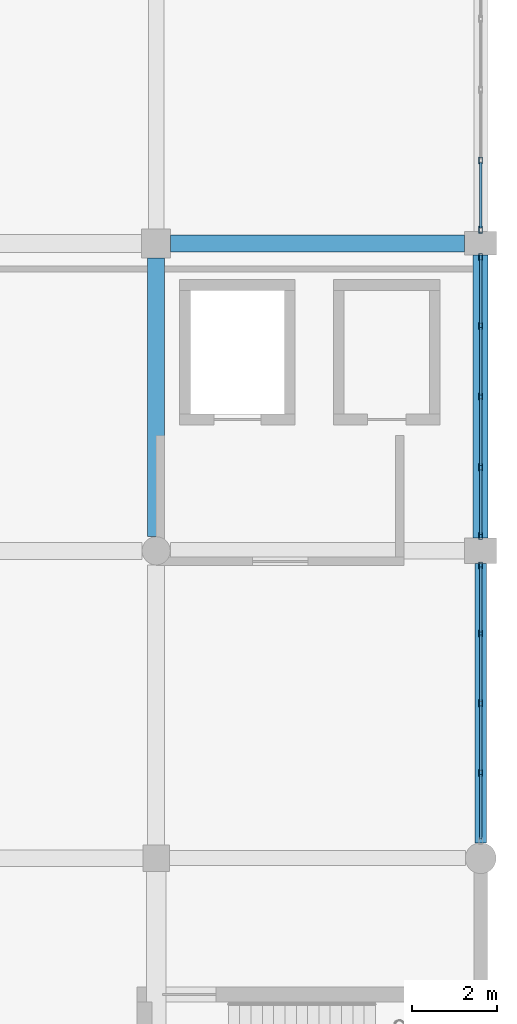
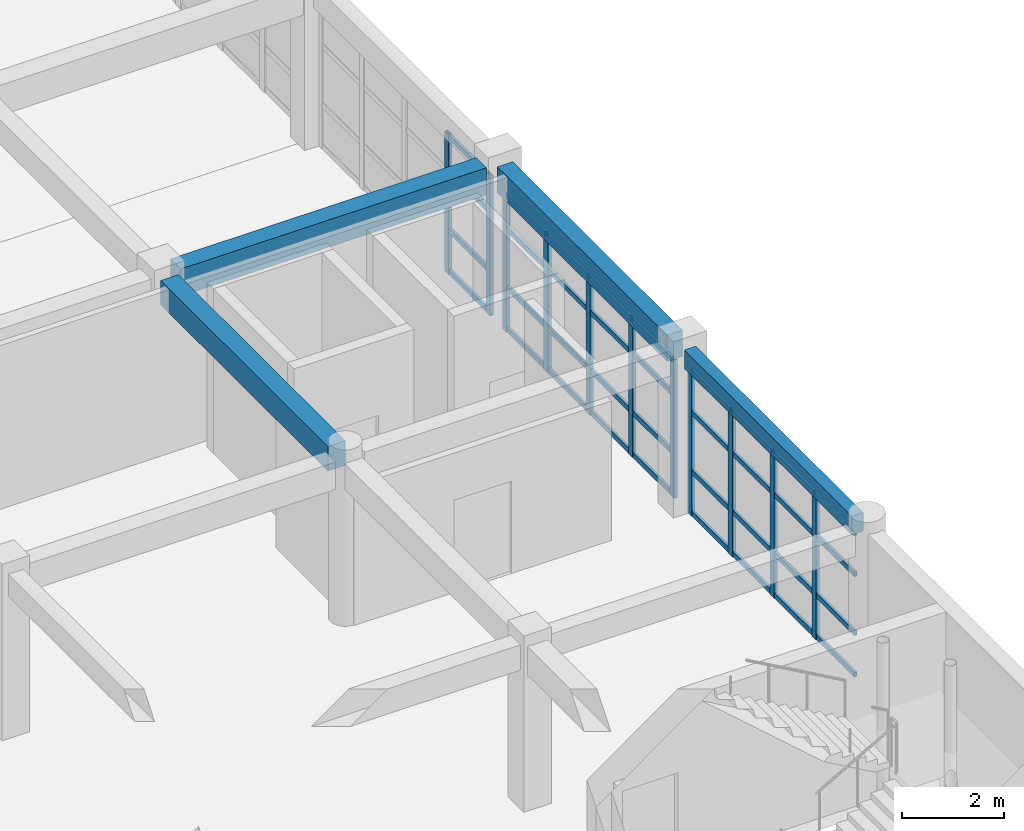
# One storey, part 133 of 195: 47 members, 4 beams, 3 elements without a shape of their own.
"""IFC4 building model written with IfcOpenShell, lengths in metres."""

from ifc_helpers import new_model, si_unit, direction, frame, origin, origin_2d, place, context, subcontext, project, spatial, rectangle, hollow_rectangle, extrude, material, material_profile, profile_set, type_object, element, aggregate, save


model = new_model("IFC4")

# Units and contexts
model_context = context("Model", 3, precision=1e-05, world=origin(), true_north=direction((0.0, 1.0)))
body_context = subcontext(model_context, "Body", "Model", "MODEL_VIEW")
ifc_project = project(units=[si_unit("LENGTHUNIT", "METRE"), si_unit("AREAUNIT", "SQUARE_METRE"), si_unit("VOLUMEUNIT", "CUBIC_METRE"), si_unit("PLANEANGLEUNIT", "RADIAN"), si_unit("MASSUNIT", "GRAM", prefix="KILO")], contexts=[model_context])

# Site, building, storey
site_placement = place(None, origin())
site = spatial("IfcSite", under=ifc_project, at=site_placement, CompositionType="ELEMENT")
building_placement = place(site_placement, origin())
building = spatial("IfcBuilding", under=site, at=building_placement, Name="Kharva Crest Polytechnic", CompositionType="ELEMENT")
storey_placement = place(building_placement, frame((0.0, 0.0, 9.0)))
storey = spatial("IfcBuildingStorey", under=building, at=storey_placement, Name="L02", CompositionType="ELEMENT", Elevation=9.0)

# Beams
ifc_material_1 = material(Name="Concrete C35/45", Category="concrete")
ifc_material_profile_1 = material_profile(ifc_material_1, rectangle(XDim=0.39990234375, YDim=0.580078125, at=origin_2d()), Name="RECT 400 X 580")
ifc_profile_set_1 = profile_set([ifc_material_profile_1], Name="Concrete C35/45")
beam_type_1 = type_object("IfcBeamType", Name="BM-RC-400X580", PredefinedType="BEAM", material=ifc_profile_set_1)
beam_1_placement = place(storey_placement, frame((176.39990234375, 86.330078125, 3.6298828125), z_axis=(0.0, 1.0, 0.0), x_axis=(-1.0, 0.0, 0.0)))
element("IfcBeam", 1, at=beam_1_placement, inside=storey, type_object=beam_type_1, Name="L02 Girder 23/M-N", PredefinedType="BEAM", context=body_context, shape_type="SweptSolid", body=[
    extrude(rectangle(XDim=0.39990234375, YDim=0.580078125, at=origin_2d()), origin(), (0.0, 0.0, 1.0), 6.530029296875),
])
ifc_material_profile_2 = material_profile(ifc_material_1, rectangle(XDim=0.39990234375, YDim=0.64990234375, at=origin_2d()), Name="RECT 400 X 650")
ifc_profile_set_2 = profile_set([ifc_material_profile_2], Name="Concrete C35/45")
beam_type_2 = type_object("IfcBeamType", Name="BM-RC-400X650", PredefinedType="BEAM", material=ifc_profile_set_2)
beam_2_placement = place(storey_placement, frame((176.739990234375, 93.199951171875, 3.594970703125), z_axis=(1.0, 0.0, 0.0), x_axis=(0.0, 1.0, 0.0)))
element("IfcBeam", 2, at=beam_2_placement, inside=storey, type_object=beam_type_2, Name="L02 Beam N/23-24", PredefinedType="BEAM", context=body_context, shape_type="SweptSolid", body=[
    extrude(rectangle(XDim=0.39990234375, YDim=0.64990234375, at=origin_2d()), origin(), (0.0, 0.0, 1.0), 6.885009765625),
])

# Curtain wall, members
ifc_material_2 = material(Name="Tempered insulated glass", Category="glass")
curtain_wall_type = type_object("IfcCurtainWallType", Name="CW-SYS-COURT", PredefinedType="USERDEFINED", material=ifc_material_2)
curtain_wall_1_placement = place(storey_placement, origin())
curtain_wall_1 = element("IfcCurtainWall", 3, at=curtain_wall_1_placement, inside=storey, type_object=curtain_wall_type, Name="L02 Glazed Curtain Wall CW-107", ObjectType="CURTAIN WALL", PredefinedType="USERDEFINED")
ifc_material_3 = material(Name="Steel S355", Category="steel")
ifc_material_profile_3 = material_profile(ifc_material_3, hollow_rectangle(XDim=0.080078125, YDim=0.159912109375, WallThickness=0.0048828125, at=origin_2d()), Name="RHS 160X80X5.0")
ifc_profile_set_3 = profile_set([ifc_material_profile_3], Name="Steel S355")
member_type_1 = type_object("IfcMemberType", Name="CWM-RHS160X80", PredefinedType="MULLION", material=ifc_profile_set_3)
member_1_placement = place(storey_placement, frame((184.0, 80.797607421875, 0.0), z_axis=(0.0, 0.0, 1.0), x_axis=(-1.0, 0.0, 0.0)))
member_1 = element("IfcMember", 4, at=member_1_placement, type_object=member_type_1, Name="CW-107 mullion 2", PredefinedType="MULLION", context=body_context, shape_type="SweptSolid", body=[
    extrude(hollow_rectangle(XDim=0.080078125, YDim=0.159912109375, WallThickness=0.0048828125, at=origin_2d()), origin(), (0.0, 0.0, 1.0), 3.47998046875),
])
member_2_placement = place(storey_placement, frame((184.0, 82.429931640625, 0.0), z_axis=(0.0, 0.0, 1.0), x_axis=(-1.0, 0.0, 0.0)))
member_2 = element("IfcMember", 5, at=member_2_placement, type_object=member_type_1, Name="CW-107 mullion 3", PredefinedType="MULLION", context=body_context, shape_type="SweptSolid", body=[
    extrude(hollow_rectangle(XDim=0.080078125, YDim=0.159912109375, WallThickness=0.0048828125, at=origin_2d()), origin(), (0.0, 0.0, 1.0), 3.47998046875),
])
member_3_placement = place(storey_placement, frame((184.0, 84.0625, 0.0), z_axis=(0.0, 0.0, 1.0), x_axis=(-1.0, 0.0, 0.0)))
member_3 = element("IfcMember", 6, at=member_3_placement, type_object=member_type_1, Name="CW-107 mullion 4", PredefinedType="MULLION", context=body_context, shape_type="SweptSolid", body=[
    extrude(hollow_rectangle(XDim=0.080078125, YDim=0.159912109375, WallThickness=0.0048828125, at=origin_2d()), origin(), (0.0, 0.0, 1.0), 3.47998046875),
])
member_4_placement = place(storey_placement, frame((184.0, 85.655029296875, 0.0), z_axis=(0.0, 0.0, 1.0), x_axis=(-1.0, 0.0, 0.0)))
member_4 = element("IfcMember", 7, at=member_4_placement, type_object=member_type_1, Name="CW-107 mullion 5", PredefinedType="MULLION", context=body_context, shape_type="SweptSolid", body=[
    extrude(hollow_rectangle(XDim=0.080078125, YDim=0.159912109375, WallThickness=0.0048828125, at=origin_2d()), origin(), (0.0, 0.0, 1.0), 3.47998046875),
])

curtain_wall_2_placement = place(storey_placement, origin())
curtain_wall_2 = element("IfcCurtainWall", 8, at=curtain_wall_2_placement, inside=storey, type_object=curtain_wall_type, Name="L02 Glazed Curtain Wall CW-108", ObjectType="CURTAIN WALL", PredefinedType="USERDEFINED")
member_5_placement = place(storey_placement, frame((184.0, 86.344970703125, 0.0), z_axis=(0.0, 0.0, 1.0), x_axis=(-1.0, 0.0, 0.0)))
member_5 = element("IfcMember", 9, at=member_5_placement, type_object=member_type_1, Name="CW-108 mullion 1", PredefinedType="MULLION", context=body_context, shape_type="SweptSolid", body=[
    extrude(hollow_rectangle(XDim=0.080078125, YDim=0.159912109375, WallThickness=0.0048828125, at=origin_2d()), origin(), (0.0, 0.0, 1.0), 3.300048828125),
])
member_6_placement = place(storey_placement, frame((184.0, 87.958740234375, 0.0), z_axis=(0.0, 0.0, 1.0), x_axis=(-1.0, 0.0, 0.0)))
member_6 = element("IfcMember", 10, at=member_6_placement, type_object=member_type_1, Name="CW-108 mullion 2", PredefinedType="MULLION", context=body_context, shape_type="SweptSolid", body=[
    extrude(hollow_rectangle(XDim=0.080078125, YDim=0.159912109375, WallThickness=0.0048828125, at=origin_2d()), origin(), (0.0, 0.0, 1.0), 3.300048828125),
])
member_7_placement = place(storey_placement, frame((184.0, 89.612548828125, 0.0), z_axis=(0.0, 0.0, 1.0), x_axis=(-1.0, 0.0, 0.0)))
member_7 = element("IfcMember", 11, at=member_7_placement, type_object=member_type_1, Name="CW-108 mullion 3", PredefinedType="MULLION", context=body_context, shape_type="SweptSolid", body=[
    extrude(hollow_rectangle(XDim=0.080078125, YDim=0.159912109375, WallThickness=0.0048828125, at=origin_2d()), origin(), (0.0, 0.0, 1.0), 3.300048828125),
])
member_8_placement = place(storey_placement, frame((184.0, 91.266357421875, 0.0), z_axis=(0.0, 0.0, 1.0), x_axis=(-1.0, 0.0, 0.0)))
member_8 = element("IfcMember", 12, at=member_8_placement, type_object=member_type_1, Name="CW-108 mullion 4", PredefinedType="MULLION", context=body_context, shape_type="SweptSolid", body=[
    extrude(hollow_rectangle(XDim=0.080078125, YDim=0.159912109375, WallThickness=0.0048828125, at=origin_2d()), origin(), (0.0, 0.0, 1.0), 3.300048828125),
])
member_9_placement = place(storey_placement, frame((184.0, 92.8798828125, 0.0), z_axis=(0.0, 0.0, 1.0), x_axis=(-1.0, 0.0, 0.0)))
member_9 = element("IfcMember", 13, at=member_9_placement, type_object=member_type_1, Name="CW-108 mullion 5", PredefinedType="MULLION", context=body_context, shape_type="SweptSolid", body=[
    extrude(hollow_rectangle(XDim=0.080078125, YDim=0.159912109375, WallThickness=0.0048828125, at=origin_2d()), origin(), (0.0, 0.0, 1.0), 3.300048828125),
])

curtain_wall_3_placement = place(storey_placement, origin())
curtain_wall_3 = element("IfcCurtainWall", 14, at=curtain_wall_3_placement, inside=storey, type_object=curtain_wall_type, Name="L02 Glazed Curtain Wall CW-109", ObjectType="CURTAIN WALL", PredefinedType="USERDEFINED")
member_10_placement = place(storey_placement, frame((184.0, 93.52001953125, 0.0), z_axis=(0.0, 0.0, 1.0), x_axis=(-1.0, 0.0, 0.0)))
member_10 = element("IfcMember", 15, at=member_10_placement, type_object=member_type_1, Name="CW-109 mullion 1", PredefinedType="MULLION", context=body_context, shape_type="SweptSolid", body=[
    extrude(hollow_rectangle(XDim=0.080078125, YDim=0.159912109375, WallThickness=0.0048828125, at=origin_2d()), origin(), (0.0, 0.0, 1.0), 3.340087890625),
])
member_11_placement = place(storey_placement, frame((184.0, 95.139892578125, 0.0), z_axis=(0.0, 0.0, 1.0), x_axis=(-1.0, 0.0, 0.0)))
member_11 = element("IfcMember", 16, at=member_11_placement, type_object=member_type_1, Name="CW-109 mullion 2", PredefinedType="MULLION", context=body_context, shape_type="SweptSolid", body=[
    extrude(hollow_rectangle(XDim=0.080078125, YDim=0.159912109375, WallThickness=0.0048828125, at=origin_2d()), origin(), (0.0, 0.0, 1.0), 3.340087890625),
])

# Member
ifc_material_profile_4 = material_profile(ifc_material_3, hollow_rectangle(XDim=0.06005859375, YDim=0.1201171875, WallThickness=0.00390625, at=origin_2d()), Name="RHS 120X60X4.0")
ifc_profile_set_4 = profile_set([ifc_material_profile_4], Name="Steel S355")
member_type_2 = type_object("IfcMemberType", Name="CWT-RHS120X60", PredefinedType="USERDEFINED", material=ifc_profile_set_4)
member_12_placement = place(storey_placement, frame((184.0, 79.2451171875, 0.06005859375), z_axis=(0.0, 1.0, 0.0), x_axis=(-1.0, 0.0, 0.0)))
member_12 = element("IfcMember", 17, at=member_12_placement, type_object=member_type_2, Name="CW-107 transom 1.1", ObjectType="TRANSOM", PredefinedType="USERDEFINED", context=body_context, shape_type="SweptSolid", body=[
    extrude(hollow_rectangle(XDim=0.06005859375, YDim=0.1201171875, WallThickness=0.00390625, at=origin_2d()), origin(), (0.0, 0.0, 1.0), 1.512451171875),
])

member_13_placement = place(storey_placement, frame((184.0, 79.2451171875, 1.050048828125), z_axis=(0.0, 1.0, 0.0), x_axis=(-1.0, 0.0, 0.0)))
member_13 = element("IfcMember", 18, at=member_13_placement, type_object=member_type_2, Name="CW-107 transom 1.2", ObjectType="TRANSOM", PredefinedType="USERDEFINED", context=body_context, shape_type="SweptSolid", body=[
    extrude(hollow_rectangle(XDim=0.06005859375, YDim=0.1201171875, WallThickness=0.00390625, at=origin_2d()), origin(), (0.0, 0.0, 1.0), 1.512451171875),
])

member_14_placement = place(storey_placement, frame((184.0, 79.2451171875, 2.449951171875), z_axis=(0.0, 1.0, 0.0), x_axis=(-1.0, 0.0, 0.0)))
member_14 = element("IfcMember", 19, at=member_14_placement, type_object=member_type_2, Name="CW-107 transom 1.3", ObjectType="TRANSOM", PredefinedType="USERDEFINED", context=body_context, shape_type="SweptSolid", body=[
    extrude(hollow_rectangle(XDim=0.06005859375, YDim=0.1201171875, WallThickness=0.00390625, at=origin_2d()), origin(), (0.0, 0.0, 1.0), 1.512451171875),
])

member_15_placement = place(storey_placement, frame((184.0, 79.2451171875, 3.419921875), z_axis=(0.0, 1.0, 0.0), x_axis=(-1.0, 0.0, 0.0)))
member_15 = element("IfcMember", 20, at=member_15_placement, type_object=member_type_2, Name="CW-107 transom 1.4", ObjectType="TRANSOM", PredefinedType="USERDEFINED", context=body_context, shape_type="SweptSolid", body=[
    extrude(hollow_rectangle(XDim=0.06005859375, YDim=0.1201171875, WallThickness=0.00390625, at=origin_2d()), origin(), (0.0, 0.0, 1.0), 1.512451171875),
])

member_16_placement = place(storey_placement, frame((184.0, 80.83740234375, 0.06005859375), z_axis=(0.0, 1.0, 0.0), x_axis=(-1.0, 0.0, 0.0)))
member_16 = element("IfcMember", 21, at=member_16_placement, type_object=member_type_2, Name="CW-107 transom 2.1", ObjectType="TRANSOM", PredefinedType="USERDEFINED", context=body_context, shape_type="SweptSolid", body=[
    extrude(hollow_rectangle(XDim=0.06005859375, YDim=0.1201171875, WallThickness=0.00390625, at=origin_2d()), origin(), (0.0, 0.0, 1.0), 1.552490234375),
])

member_17_placement = place(storey_placement, frame((184.0, 80.83740234375, 1.050048828125), z_axis=(0.0, 1.0, 0.0), x_axis=(-1.0, 0.0, 0.0)))
member_17 = element("IfcMember", 22, at=member_17_placement, type_object=member_type_2, Name="CW-107 transom 2.2", ObjectType="TRANSOM", PredefinedType="USERDEFINED", context=body_context, shape_type="SweptSolid", body=[
    extrude(hollow_rectangle(XDim=0.06005859375, YDim=0.1201171875, WallThickness=0.00390625, at=origin_2d()), origin(), (0.0, 0.0, 1.0), 1.552490234375),
])

member_18_placement = place(storey_placement, frame((184.0, 80.83740234375, 2.449951171875), z_axis=(0.0, 1.0, 0.0), x_axis=(-1.0, 0.0, 0.0)))
member_18 = element("IfcMember", 23, at=member_18_placement, type_object=member_type_2, Name="CW-107 transom 2.3", ObjectType="TRANSOM", PredefinedType="USERDEFINED", context=body_context, shape_type="SweptSolid", body=[
    extrude(hollow_rectangle(XDim=0.06005859375, YDim=0.1201171875, WallThickness=0.00390625, at=origin_2d()), origin(), (0.0, 0.0, 1.0), 1.552490234375),
])

member_19_placement = place(storey_placement, frame((184.0, 80.83740234375, 3.419921875), z_axis=(0.0, 1.0, 0.0), x_axis=(-1.0, 0.0, 0.0)))
member_19 = element("IfcMember", 24, at=member_19_placement, type_object=member_type_2, Name="CW-107 transom 2.4", ObjectType="TRANSOM", PredefinedType="USERDEFINED", context=body_context, shape_type="SweptSolid", body=[
    extrude(hollow_rectangle(XDim=0.06005859375, YDim=0.1201171875, WallThickness=0.00390625, at=origin_2d()), origin(), (0.0, 0.0, 1.0), 1.552490234375),
])

member_20_placement = place(storey_placement, frame((184.0, 82.469970703125, 0.06005859375), z_axis=(0.0, 1.0, 0.0), x_axis=(-1.0, 0.0, 0.0)))
member_20 = element("IfcMember", 25, at=member_20_placement, type_object=member_type_2, Name="CW-107 transom 3.1", ObjectType="TRANSOM", PredefinedType="USERDEFINED", context=body_context, shape_type="SweptSolid", body=[
    extrude(hollow_rectangle(XDim=0.06005859375, YDim=0.1201171875, WallThickness=0.00390625, at=origin_2d()), origin(), (0.0, 0.0, 1.0), 1.552490234375),
])

member_21_placement = place(storey_placement, frame((184.0, 82.469970703125, 1.050048828125), z_axis=(0.0, 1.0, 0.0), x_axis=(-1.0, 0.0, 0.0)))
member_21 = element("IfcMember", 26, at=member_21_placement, type_object=member_type_2, Name="CW-107 transom 3.2", ObjectType="TRANSOM", PredefinedType="USERDEFINED", context=body_context, shape_type="SweptSolid", body=[
    extrude(hollow_rectangle(XDim=0.06005859375, YDim=0.1201171875, WallThickness=0.00390625, at=origin_2d()), origin(), (0.0, 0.0, 1.0), 1.552490234375),
])

member_22_placement = place(storey_placement, frame((184.0, 82.469970703125, 2.449951171875), z_axis=(0.0, 1.0, 0.0), x_axis=(-1.0, 0.0, 0.0)))
member_22 = element("IfcMember", 27, at=member_22_placement, type_object=member_type_2, Name="CW-107 transom 3.3", ObjectType="TRANSOM", PredefinedType="USERDEFINED", context=body_context, shape_type="SweptSolid", body=[
    extrude(hollow_rectangle(XDim=0.06005859375, YDim=0.1201171875, WallThickness=0.00390625, at=origin_2d()), origin(), (0.0, 0.0, 1.0), 1.552490234375),
])

member_23_placement = place(storey_placement, frame((184.0, 82.469970703125, 3.419921875), z_axis=(0.0, 1.0, 0.0), x_axis=(-1.0, 0.0, 0.0)))
member_23 = element("IfcMember", 28, at=member_23_placement, type_object=member_type_2, Name="CW-107 transom 3.4", ObjectType="TRANSOM", PredefinedType="USERDEFINED", context=body_context, shape_type="SweptSolid", body=[
    extrude(hollow_rectangle(XDim=0.06005859375, YDim=0.1201171875, WallThickness=0.00390625, at=origin_2d()), origin(), (0.0, 0.0, 1.0), 1.552490234375),
])

member_24_placement = place(storey_placement, frame((184.0, 84.1025390625, 0.06005859375), z_axis=(0.0, 1.0, 0.0), x_axis=(-1.0, 0.0, 0.0)))
member_24 = element("IfcMember", 29, at=member_24_placement, type_object=member_type_2, Name="CW-107 transom 4.1", ObjectType="TRANSOM", PredefinedType="USERDEFINED", context=body_context, shape_type="SweptSolid", body=[
    extrude(hollow_rectangle(XDim=0.06005859375, YDim=0.1201171875, WallThickness=0.00390625, at=origin_2d()), origin(), (0.0, 0.0, 1.0), 1.512451171875),
])

member_25_placement = place(storey_placement, frame((184.0, 84.1025390625, 1.050048828125), z_axis=(0.0, 1.0, 0.0), x_axis=(-1.0, 0.0, 0.0)))
member_25 = element("IfcMember", 30, at=member_25_placement, type_object=member_type_2, Name="CW-107 transom 4.2", ObjectType="TRANSOM", PredefinedType="USERDEFINED", context=body_context, shape_type="SweptSolid", body=[
    extrude(hollow_rectangle(XDim=0.06005859375, YDim=0.1201171875, WallThickness=0.00390625, at=origin_2d()), origin(), (0.0, 0.0, 1.0), 1.512451171875),
])

member_26_placement = place(storey_placement, frame((184.0, 84.1025390625, 2.449951171875), z_axis=(0.0, 1.0, 0.0), x_axis=(-1.0, 0.0, 0.0)))
member_26 = element("IfcMember", 31, at=member_26_placement, type_object=member_type_2, Name="CW-107 transom 4.3", ObjectType="TRANSOM", PredefinedType="USERDEFINED", context=body_context, shape_type="SweptSolid", body=[
    extrude(hollow_rectangle(XDim=0.06005859375, YDim=0.1201171875, WallThickness=0.00390625, at=origin_2d()), origin(), (0.0, 0.0, 1.0), 1.512451171875),
])

member_27_placement = place(storey_placement, frame((184.0, 84.1025390625, 3.419921875), z_axis=(0.0, 1.0, 0.0), x_axis=(-1.0, 0.0, 0.0)))
member_27 = element("IfcMember", 32, at=member_27_placement, type_object=member_type_2, Name="CW-107 transom 4.4", ObjectType="TRANSOM", PredefinedType="USERDEFINED", context=body_context, shape_type="SweptSolid", body=[
    extrude(hollow_rectangle(XDim=0.06005859375, YDim=0.1201171875, WallThickness=0.00390625, at=origin_2d()), origin(), (0.0, 0.0, 1.0), 1.512451171875),
])

aggregate(curtain_wall_1, [member_1, member_2, member_3, member_4, member_12, member_13, member_14, member_15, member_16, member_17, member_18, member_19, member_20, member_21, member_22, member_23, member_24, member_25, member_26, member_27])

member_28_placement = place(storey_placement, frame((184.0, 86.385009765625, 0.06005859375), z_axis=(0.0, 1.0, 0.0), x_axis=(-1.0, 0.0, 0.0)))
member_28 = element("IfcMember", 33, at=member_28_placement, type_object=member_type_2, Name="CW-108 transom 1.1", ObjectType="TRANSOM", PredefinedType="USERDEFINED", context=body_context, shape_type="SweptSolid", body=[
    extrude(hollow_rectangle(XDim=0.06005859375, YDim=0.1201171875, WallThickness=0.00390625, at=origin_2d()), origin(), (0.0, 0.0, 1.0), 1.53369140625),
])

member_29_placement = place(storey_placement, frame((184.0, 86.385009765625, 1.050048828125), z_axis=(0.0, 1.0, 0.0), x_axis=(-1.0, 0.0, 0.0)))
member_29 = element("IfcMember", 34, at=member_29_placement, type_object=member_type_2, Name="CW-108 transom 1.2", ObjectType="TRANSOM", PredefinedType="USERDEFINED", context=body_context, shape_type="SweptSolid", body=[
    extrude(hollow_rectangle(XDim=0.06005859375, YDim=0.1201171875, WallThickness=0.00390625, at=origin_2d()), origin(), (0.0, 0.0, 1.0), 1.53369140625),
])

member_30_placement = place(storey_placement, frame((184.0, 86.385009765625, 2.449951171875), z_axis=(0.0, 1.0, 0.0), x_axis=(-1.0, 0.0, 0.0)))
member_30 = element("IfcMember", 35, at=member_30_placement, type_object=member_type_2, Name="CW-108 transom 1.3", ObjectType="TRANSOM", PredefinedType="USERDEFINED", context=body_context, shape_type="SweptSolid", body=[
    extrude(hollow_rectangle(XDim=0.06005859375, YDim=0.1201171875, WallThickness=0.00390625, at=origin_2d()), origin(), (0.0, 0.0, 1.0), 1.53369140625),
])

member_31_placement = place(storey_placement, frame((184.0, 86.385009765625, 3.239990234375), z_axis=(0.0, 1.0, 0.0), x_axis=(-1.0, 0.0, 0.0)))
member_31 = element("IfcMember", 36, at=member_31_placement, type_object=member_type_2, Name="CW-108 transom 1.4", ObjectType="TRANSOM", PredefinedType="USERDEFINED", context=body_context, shape_type="SweptSolid", body=[
    extrude(hollow_rectangle(XDim=0.06005859375, YDim=0.1201171875, WallThickness=0.00390625, at=origin_2d()), origin(), (0.0, 0.0, 1.0), 1.53369140625),
])

member_32_placement = place(storey_placement, frame((184.0, 87.998779296875, 0.06005859375), z_axis=(0.0, 1.0, 0.0), x_axis=(-1.0, 0.0, 0.0)))
member_32 = element("IfcMember", 37, at=member_32_placement, type_object=member_type_2, Name="CW-108 transom 2.1", ObjectType="TRANSOM", PredefinedType="USERDEFINED", context=body_context, shape_type="SweptSolid", body=[
    extrude(hollow_rectangle(XDim=0.06005859375, YDim=0.1201171875, WallThickness=0.00390625, at=origin_2d()), origin(), (0.0, 0.0, 1.0), 1.57373046875),
])

member_33_placement = place(storey_placement, frame((184.0, 87.998779296875, 1.050048828125), z_axis=(0.0, 1.0, 0.0), x_axis=(-1.0, 0.0, 0.0)))
member_33 = element("IfcMember", 38, at=member_33_placement, type_object=member_type_2, Name="CW-108 transom 2.2", ObjectType="TRANSOM", PredefinedType="USERDEFINED", context=body_context, shape_type="SweptSolid", body=[
    extrude(hollow_rectangle(XDim=0.06005859375, YDim=0.1201171875, WallThickness=0.00390625, at=origin_2d()), origin(), (0.0, 0.0, 1.0), 1.57373046875),
])

member_34_placement = place(storey_placement, frame((184.0, 87.998779296875, 2.449951171875), z_axis=(0.0, 1.0, 0.0), x_axis=(-1.0, 0.0, 0.0)))
member_34 = element("IfcMember", 39, at=member_34_placement, type_object=member_type_2, Name="CW-108 transom 2.3", ObjectType="TRANSOM", PredefinedType="USERDEFINED", context=body_context, shape_type="SweptSolid", body=[
    extrude(hollow_rectangle(XDim=0.06005859375, YDim=0.1201171875, WallThickness=0.00390625, at=origin_2d()), origin(), (0.0, 0.0, 1.0), 1.57373046875),
])

member_35_placement = place(storey_placement, frame((184.0, 87.998779296875, 3.239990234375), z_axis=(0.0, 1.0, 0.0), x_axis=(-1.0, 0.0, 0.0)))
member_35 = element("IfcMember", 40, at=member_35_placement, type_object=member_type_2, Name="CW-108 transom 2.4", ObjectType="TRANSOM", PredefinedType="USERDEFINED", context=body_context, shape_type="SweptSolid", body=[
    extrude(hollow_rectangle(XDim=0.06005859375, YDim=0.1201171875, WallThickness=0.00390625, at=origin_2d()), origin(), (0.0, 0.0, 1.0), 1.57373046875),
])

member_36_placement = place(storey_placement, frame((184.0, 89.652587890625, 0.06005859375), z_axis=(0.0, 1.0, 0.0), x_axis=(-1.0, 0.0, 0.0)))
member_36 = element("IfcMember", 41, at=member_36_placement, type_object=member_type_2, Name="CW-108 transom 3.1", ObjectType="TRANSOM", PredefinedType="USERDEFINED", context=body_context, shape_type="SweptSolid", body=[
    extrude(hollow_rectangle(XDim=0.06005859375, YDim=0.1201171875, WallThickness=0.00390625, at=origin_2d()), origin(), (0.0, 0.0, 1.0), 1.57373046875),
])

member_37_placement = place(storey_placement, frame((184.0, 89.652587890625, 1.050048828125), z_axis=(0.0, 1.0, 0.0), x_axis=(-1.0, 0.0, 0.0)))
member_37 = element("IfcMember", 42, at=member_37_placement, type_object=member_type_2, Name="CW-108 transom 3.2", ObjectType="TRANSOM", PredefinedType="USERDEFINED", context=body_context, shape_type="SweptSolid", body=[
    extrude(hollow_rectangle(XDim=0.06005859375, YDim=0.1201171875, WallThickness=0.00390625, at=origin_2d()), origin(), (0.0, 0.0, 1.0), 1.57373046875),
])

member_38_placement = place(storey_placement, frame((184.0, 89.652587890625, 2.449951171875), z_axis=(0.0, 1.0, 0.0), x_axis=(-1.0, 0.0, 0.0)))
member_38 = element("IfcMember", 43, at=member_38_placement, type_object=member_type_2, Name="CW-108 transom 3.3", ObjectType="TRANSOM", PredefinedType="USERDEFINED", context=body_context, shape_type="SweptSolid", body=[
    extrude(hollow_rectangle(XDim=0.06005859375, YDim=0.1201171875, WallThickness=0.00390625, at=origin_2d()), origin(), (0.0, 0.0, 1.0), 1.57373046875),
])

member_39_placement = place(storey_placement, frame((184.0, 89.652587890625, 3.239990234375), z_axis=(0.0, 1.0, 0.0), x_axis=(-1.0, 0.0, 0.0)))
member_39 = element("IfcMember", 44, at=member_39_placement, type_object=member_type_2, Name="CW-108 transom 3.4", ObjectType="TRANSOM", PredefinedType="USERDEFINED", context=body_context, shape_type="SweptSolid", body=[
    extrude(hollow_rectangle(XDim=0.06005859375, YDim=0.1201171875, WallThickness=0.00390625, at=origin_2d()), origin(), (0.0, 0.0, 1.0), 1.57373046875),
])

member_40_placement = place(storey_placement, frame((184.0, 91.30615234375, 0.06005859375), z_axis=(0.0, 1.0, 0.0), x_axis=(-1.0, 0.0, 0.0)))
member_40 = element("IfcMember", 45, at=member_40_placement, type_object=member_type_2, Name="CW-108 transom 4.1", ObjectType="TRANSOM", PredefinedType="USERDEFINED", context=body_context, shape_type="SweptSolid", body=[
    extrude(hollow_rectangle(XDim=0.06005859375, YDim=0.1201171875, WallThickness=0.00390625, at=origin_2d()), origin(), (0.0, 0.0, 1.0), 1.533935546875),
])

member_41_placement = place(storey_placement, frame((184.0, 91.30615234375, 1.050048828125), z_axis=(0.0, 1.0, 0.0), x_axis=(-1.0, 0.0, 0.0)))
member_41 = element("IfcMember", 46, at=member_41_placement, type_object=member_type_2, Name="CW-108 transom 4.2", ObjectType="TRANSOM", PredefinedType="USERDEFINED", context=body_context, shape_type="SweptSolid", body=[
    extrude(hollow_rectangle(XDim=0.06005859375, YDim=0.1201171875, WallThickness=0.00390625, at=origin_2d()), origin(), (0.0, 0.0, 1.0), 1.533935546875),
])

member_42_placement = place(storey_placement, frame((184.0, 91.30615234375, 2.449951171875), z_axis=(0.0, 1.0, 0.0), x_axis=(-1.0, 0.0, 0.0)))
member_42 = element("IfcMember", 47, at=member_42_placement, type_object=member_type_2, Name="CW-108 transom 4.3", ObjectType="TRANSOM", PredefinedType="USERDEFINED", context=body_context, shape_type="SweptSolid", body=[
    extrude(hollow_rectangle(XDim=0.06005859375, YDim=0.1201171875, WallThickness=0.00390625, at=origin_2d()), origin(), (0.0, 0.0, 1.0), 1.533935546875),
])

member_43_placement = place(storey_placement, frame((184.0, 91.30615234375, 3.239990234375), z_axis=(0.0, 1.0, 0.0), x_axis=(-1.0, 0.0, 0.0)))
member_43 = element("IfcMember", 48, at=member_43_placement, type_object=member_type_2, Name="CW-108 transom 4.4", ObjectType="TRANSOM", PredefinedType="USERDEFINED", context=body_context, shape_type="SweptSolid", body=[
    extrude(hollow_rectangle(XDim=0.06005859375, YDim=0.1201171875, WallThickness=0.00390625, at=origin_2d()), origin(), (0.0, 0.0, 1.0), 1.533935546875),
])

aggregate(curtain_wall_2, [member_5, member_6, member_7, member_8, member_9, member_28, member_29, member_30, member_31, member_32, member_33, member_34, member_35, member_36, member_37, member_38, member_39, member_40, member_41, member_42, member_43])

member_44_placement = place(storey_placement, frame((184.0, 93.56005859375, 0.06005859375), z_axis=(0.0, 1.0, 0.0), x_axis=(-1.0, 0.0, 0.0)))
member_44 = element("IfcMember", 49, at=member_44_placement, type_object=member_type_2, Name="CW-109 transom 1.1", ObjectType="TRANSOM", PredefinedType="USERDEFINED", context=body_context, shape_type="SweptSolid", body=[
    extrude(hollow_rectangle(XDim=0.06005859375, YDim=0.1201171875, WallThickness=0.00390625, at=origin_2d()), origin(), (0.0, 0.0, 1.0), 1.5400390625),
])

member_45_placement = place(storey_placement, frame((184.0, 93.56005859375, 1.050048828125), z_axis=(0.0, 1.0, 0.0), x_axis=(-1.0, 0.0, 0.0)))
member_45 = element("IfcMember", 50, at=member_45_placement, type_object=member_type_2, Name="CW-109 transom 1.2", ObjectType="TRANSOM", PredefinedType="USERDEFINED", context=body_context, shape_type="SweptSolid", body=[
    extrude(hollow_rectangle(XDim=0.06005859375, YDim=0.1201171875, WallThickness=0.00390625, at=origin_2d()), origin(), (0.0, 0.0, 1.0), 1.5400390625),
])

member_46_placement = place(storey_placement, frame((184.0, 93.56005859375, 2.449951171875), z_axis=(0.0, 1.0, 0.0), x_axis=(-1.0, 0.0, 0.0)))
member_46 = element("IfcMember", 51, at=member_46_placement, type_object=member_type_2, Name="CW-109 transom 1.3", ObjectType="TRANSOM", PredefinedType="USERDEFINED", context=body_context, shape_type="SweptSolid", body=[
    extrude(hollow_rectangle(XDim=0.06005859375, YDim=0.1201171875, WallThickness=0.00390625, at=origin_2d()), origin(), (0.0, 0.0, 1.0), 1.5400390625),
])

member_47_placement = place(storey_placement, frame((184.0, 93.56005859375, 3.280029296875), z_axis=(0.0, 1.0, 0.0), x_axis=(-1.0, 0.0, 0.0)))
member_47 = element("IfcMember", 52, at=member_47_placement, type_object=member_type_2, Name="CW-109 transom 1.4", ObjectType="TRANSOM", PredefinedType="USERDEFINED", context=body_context, shape_type="SweptSolid", body=[
    extrude(hollow_rectangle(XDim=0.06005859375, YDim=0.1201171875, WallThickness=0.00390625, at=origin_2d()), origin(), (0.0, 0.0, 1.0), 1.5400390625),
])

aggregate(curtain_wall_3, [member_10, member_11, member_44, member_45, member_46, member_47])

# Beams
ifc_material_profile_5 = material_profile(ifc_material_1, rectangle(XDim=0.260009765625, YDim=0.43994140625, at=origin_2d()), Name="RECT 260 X 440")
ifc_profile_set_5 = profile_set([ifc_material_profile_5], Name="Concrete C35/45")
beam_type_3 = type_object("IfcBeamType", Name="SP-RC-260X440", PredefinedType="SPANDREL", material=ifc_profile_set_5)
beam_3_placement = place(storey_placement, frame((184.0, 79.159912109375, 3.699951171875), z_axis=(0.0, 1.0, 0.0), x_axis=(-1.0, 0.0, 0.0)))
element("IfcBeam", 53, at=beam_3_placement, inside=storey, type_object=beam_type_3, Name="L02 Girder 24/L-M", PredefinedType="SPANDREL", context=body_context, shape_type="SweptSolid", body=[
    extrude(rectangle(XDim=0.260009765625, YDim=0.43994140625, at=origin_2d()), origin(), (0.0, 0.0, 1.0), 6.5400390625),
])
ifc_material_profile_6 = material_profile(ifc_material_1, rectangle(XDim=0.35009765625, YDim=0.6201171875, at=origin_2d()), Name="RECT 350 X 620")
ifc_profile_set_6 = profile_set([ifc_material_profile_6], Name="Concrete C35/45")
beam_type_4 = type_object("IfcBeamType", Name="SP-RC-350X620", PredefinedType="SPANDREL", material=ifc_profile_set_6)
beam_4_placement = place(storey_placement, frame((184.0, 86.300048828125, 3.610107421875), z_axis=(0.0, 1.0, 0.0), x_axis=(-1.0, 0.0, 0.0)))
element("IfcBeam", 54, at=beam_4_placement, inside=storey, type_object=beam_type_4, Name="L02 Girder 24/M-N", PredefinedType="SPANDREL", context=body_context, shape_type="SweptSolid", body=[
    extrude(rectangle(XDim=0.35009765625, YDim=0.6201171875, at=origin_2d()), origin(), (0.0, 0.0, 1.0), 6.625),
])

save(model, "model.ifc")
